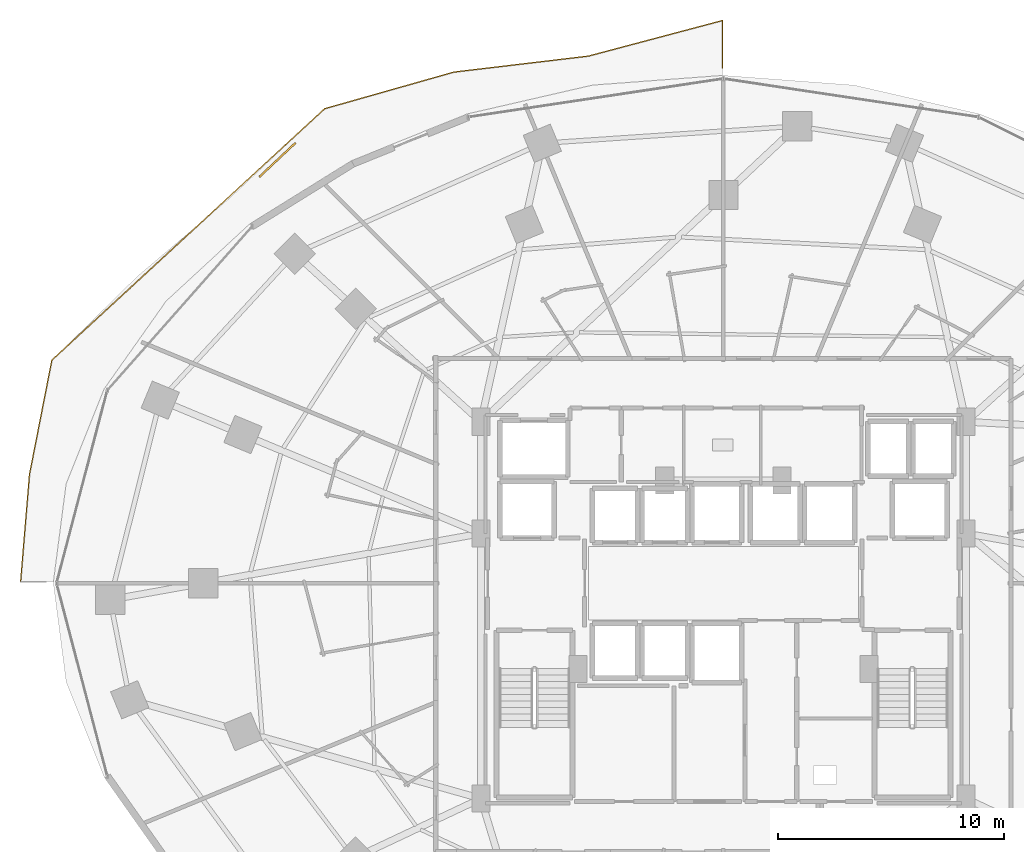
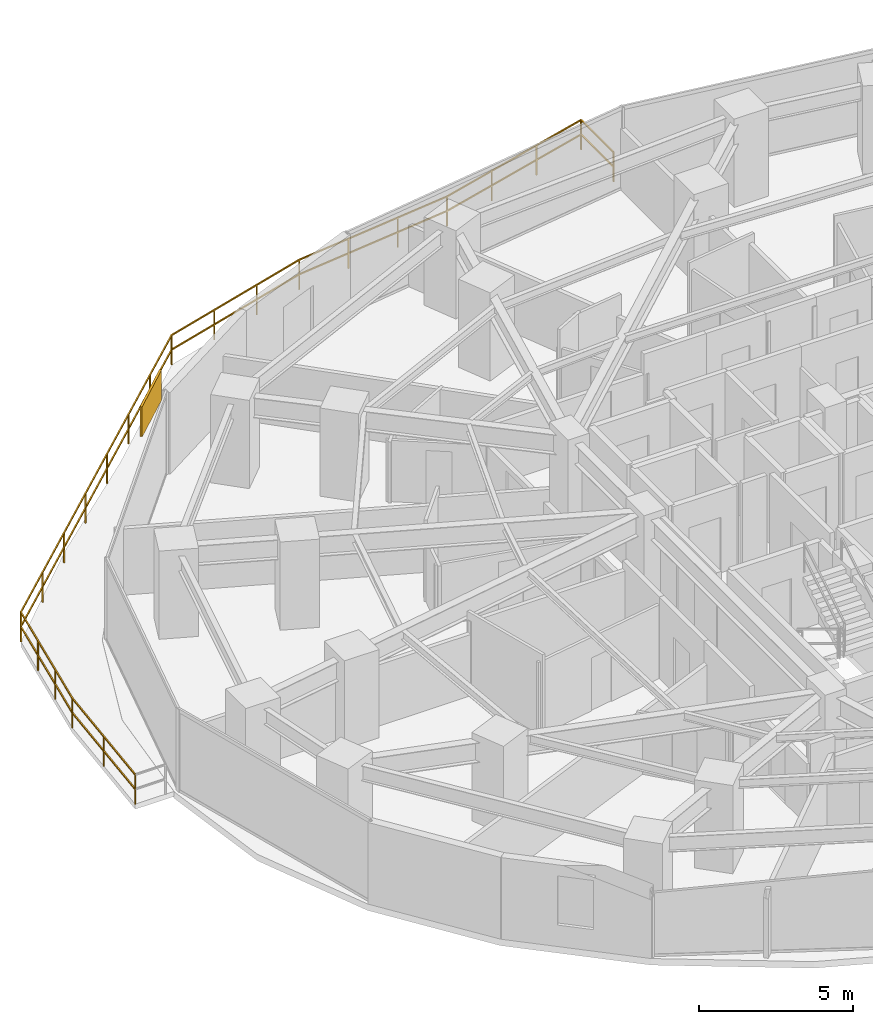
# One storey, part 35 of 36: 1 railing, 1 shading device.
"""IFC4 building model written with IfcOpenShell, lengths in metres."""

from ifc_helpers import new_model, si_unit, direction, frame, origin, origin_2d, place, context, subcontext, project, spatial, rectangle, extrude, material, type_object, element, save


model = new_model("IFC4")

# Units and contexts
model_context = context("Model", 3, precision=1e-05, world=origin(), true_north=direction((0.0, 1.0)))
body_context = subcontext(model_context, "Body", "Model", "MODEL_VIEW")
ifc_project = project(units=[si_unit("LENGTHUNIT", "METRE"), si_unit("AREAUNIT", "SQUARE_METRE"), si_unit("VOLUMEUNIT", "CUBIC_METRE"), si_unit("PLANEANGLEUNIT", "RADIAN"), si_unit("MASSUNIT", "GRAM", prefix="KILO")], contexts=[model_context])

# Site, building, storey
site_placement = place(None, origin())
site = spatial("IfcSite", under=ifc_project, at=site_placement, CompositionType="ELEMENT")
building_placement = place(site_placement, origin())
building = spatial("IfcBuilding", under=site, at=building_placement, Name="Vorneva Point Tower", CompositionType="ELEMENT")
storey_placement = place(building_placement, frame((0.0, 0.0, 24.0)))
storey = spatial("IfcBuildingStorey", under=building, at=storey_placement, Name="L05", CompositionType="ELEMENT", Elevation=24.0)

# Railing
ifc_material = material(Name="Pale anodised aluminium", Category="aluminium")
railing_type = type_object("IfcRailingType", Name="RL-BAL-1200", PredefinedType="BALUSTRADE", material=ifc_material)
railing_placement = place(storey_placement, frame((37.949951171875, 48.817138671875, 0.0)))
element("IfcRailing", 1, at=railing_placement, inside=storey, type_object=railing_type, Name="L05 Wave Balcony Balustrade NW.2", PredefinedType="BALUSTRADE", context=body_context, shape_type="SweptSolid", body=[
    extrude(rectangle(XDim=0.048095703125, YDim=0.048095703125, at=origin_2d()), frame((0.0, 0.0, 1.17578125), z_axis=(0.0, 1.0, 0.0), x_axis=(-1.0, 0.0, 0.0)), (0.0, 0.0, 1.0), 2.114501953125),
    extrude(rectangle(XDim=0.048095703125, YDim=0.048095703125, at=origin_2d()), frame((0.0, 0.0, 0.60009765625), z_axis=(0.0, 1.0, 0.0), x_axis=(-1.0, 0.0, 0.0)), (0.0, 0.0, 1.0), 2.114501953125),
    extrude(rectangle(XDim=0.048095703125, YDim=0.048095703125, at=origin_2d()), frame((0.0, 2.114501953125, 1.17578125), z_axis=(-0.966571808825, -0.256396057663, 0.0), x_axis=(0.256396057663, -0.966571808825, 0.0)), (0.0, 0.0, 1.0), 6.1435546875),
    extrude(rectangle(XDim=0.048095703125, YDim=0.048095703125, at=origin_2d()), frame((0.0, 2.114501953125, 0.60009765625), z_axis=(-0.966571808825, -0.256396057663, 0.0), x_axis=(0.256396057663, -0.966571808825, 0.0)), (0.0, 0.0, 1.0), 6.1435546875),
    extrude(rectangle(XDim=0.048095703125, YDim=0.048095703125, at=origin_2d()), frame((-5.938232421875, 0.539306640625, 1.17578125), z_axis=(-0.993006335019, -0.118061080008, 0.0), x_axis=(0.118061080008, -0.993006335019, 0.0)), (0.0, 0.0, 1.0), 6.003173828125),
    extrude(rectangle(XDim=0.048095703125, YDim=0.048095703125, at=origin_2d()), frame((-5.938232421875, 0.539306640625, 0.60009765625), z_axis=(-0.993006335019, -0.118061080008, 0.0), x_axis=(0.118061080008, -0.993006335019, 0.0)), (0.0, 0.0, 1.0), 6.003173828125),
    extrude(rectangle(XDim=0.048095703125, YDim=0.048095703125, at=origin_2d()), frame((-11.8994140625, -0.16943359375, 1.17578125), z_axis=(-0.962077917803, -0.272774779032, 0.0), x_axis=(0.272774779032, -0.962077917803, 0.0)), (0.0, 0.0, 1.0), 5.94921875),
    extrude(rectangle(XDim=0.048095703125, YDim=0.048095703125, at=origin_2d()), frame((-11.8994140625, -0.16943359375, 0.60009765625), z_axis=(-0.962077917803, -0.272774779032, 0.0), x_axis=(0.272774779032, -0.962077917803, 0.0)), (0.0, 0.0, 1.0), 5.94921875),
    extrude(rectangle(XDim=0.048095703125, YDim=0.048095703125, at=origin_2d()), frame((-17.623046875, -1.792236328125, 1.17578125), z_axis=(-0.73534569508, -0.677692193202, 0.0), x_axis=(0.677692193202, -0.73534569508, 0.0)), (0.0, 0.0, 1.0), 16.443115234375),
    extrude(rectangle(XDim=0.048095703125, YDim=0.048095703125, at=origin_2d()), frame((-17.623046875, -1.792236328125, 0.60009765625), z_axis=(-0.73534569508, -0.677692193202, 0.0), x_axis=(0.677692193202, -0.73534569508, 0.0)), (0.0, 0.0, 1.0), 16.443115234375),
    extrude(rectangle(XDim=0.048095703125, YDim=0.048095703125, at=origin_2d()), frame((-29.71435546875, -12.935546875, 1.17578125), z_axis=(-0.192193840782, -0.981356982736, 0.0), x_axis=(0.981356982736, -0.192193840782, 0.0)), (0.0, 0.0, 1.0), 5.1611328125),
    extrude(rectangle(XDim=0.048095703125, YDim=0.048095703125, at=origin_2d()), frame((-29.71435546875, -12.935546875, 0.60009765625), z_axis=(-0.192193840782, -0.981356982736, 0.0), x_axis=(0.981356982736, -0.192193840782, 0.0)), (0.0, 0.0, 1.0), 5.1611328125),
    extrude(rectangle(XDim=0.048095703125, YDim=0.048095703125, at=origin_2d()), frame((-30.706298828125, -18.00048828125, 1.17578125), z_axis=(-0.082487850113, -0.996592070299, 0.0), x_axis=(0.996592070299, -0.082487850113, 0.0)), (0.0, 0.0, 1.0), 4.782958984375),
    extrude(rectangle(XDim=0.048095703125, YDim=0.048095703125, at=origin_2d()), frame((-30.706298828125, -18.00048828125, 0.60009765625), z_axis=(-0.082487850113, -0.996592070299, 0.0), x_axis=(0.996592070299, -0.082487850113, 0.0)), (0.0, 0.0, 1.0), 4.782958984375),
    extrude(rectangle(XDim=0.0419921875, YDim=0.0419921875, at=origin_2d()), origin(), (0.0, 0.0, 1.0), 1.15185546875),
    extrude(rectangle(XDim=0.0419921875, YDim=0.0419921875, at=origin_2d()), frame((0.0, 2.114501953125, 0.0)), (0.0, 0.0, 1.0), 1.15185546875),
    extrude(rectangle(XDim=0.0419921875, YDim=0.0419921875, at=origin_2d()), frame((-1.9794921875, 1.58935546875, 0.0)), (0.0, 0.0, 1.0), 1.15185546875),
    extrude(rectangle(XDim=0.0419921875, YDim=0.0419921875, at=origin_2d()), frame((-3.958740234375, 1.064453125, 0.0)), (0.0, 0.0, 1.0), 1.15185546875),
    extrude(rectangle(XDim=0.0419921875, YDim=0.0419921875, at=origin_2d()), frame((-5.938232421875, 0.539306640625, 0.0)), (0.0, 0.0, 1.0), 1.15185546875),
    extrude(rectangle(XDim=0.0419921875, YDim=0.0419921875, at=origin_2d()), frame((-7.92529296875, 0.302978515625, 0.0)), (0.0, 0.0, 1.0), 1.15185546875),
    extrude(rectangle(XDim=0.0419921875, YDim=0.0419921875, at=origin_2d()), frame((-9.912353515625, 0.06689453125, 0.0)), (0.0, 0.0, 1.0), 1.15185546875),
    extrude(rectangle(XDim=0.0419921875, YDim=0.0419921875, at=origin_2d()), frame((-11.8994140625, -0.16943359375, 0.0)), (0.0, 0.0, 1.0), 1.15185546875),
    extrude(rectangle(XDim=0.0419921875, YDim=0.0419921875, at=origin_2d()), frame((-13.807373046875, -0.71044921875, 0.0)), (0.0, 0.0, 1.0), 1.15185546875),
    extrude(rectangle(XDim=0.0419921875, YDim=0.0419921875, at=origin_2d()), frame((-15.715087890625, -1.251220703125, 0.0)), (0.0, 0.0, 1.0), 1.15185546875),
    extrude(rectangle(XDim=0.0419921875, YDim=0.0419921875, at=origin_2d()), frame((-17.623046875, -1.792236328125, 0.0)), (0.0, 0.0, 1.0), 1.15185546875),
    extrude(rectangle(XDim=0.0419921875, YDim=0.0419921875, at=origin_2d()), frame((-19.350341796875, -3.384033203125, 0.0)), (0.0, 0.0, 1.0), 1.15185546875),
    extrude(rectangle(XDim=0.0419921875, YDim=0.0419921875, at=origin_2d()), frame((-21.07763671875, -4.97607421875, 0.0)), (0.0, 0.0, 1.0), 1.15185546875),
    extrude(rectangle(XDim=0.0419921875, YDim=0.0419921875, at=origin_2d()), frame((-22.804931640625, -6.56787109375, 0.0)), (0.0, 0.0, 1.0), 1.15185546875),
    extrude(rectangle(XDim=0.0419921875, YDim=0.0419921875, at=origin_2d()), frame((-24.532470703125, -8.159912109375, 0.0)), (0.0, 0.0, 1.0), 1.15185546875),
    extrude(rectangle(XDim=0.0419921875, YDim=0.0419921875, at=origin_2d()), frame((-26.259765625, -9.751708984375, 0.0)), (0.0, 0.0, 1.0), 1.15185546875),
    extrude(rectangle(XDim=0.0419921875, YDim=0.0419921875, at=origin_2d()), frame((-27.987060546875, -11.34375, 0.0)), (0.0, 0.0, 1.0), 1.15185546875),
    extrude(rectangle(XDim=0.0419921875, YDim=0.0419921875, at=origin_2d()), frame((-29.71435546875, -12.935546875, 0.0)), (0.0, 0.0, 1.0), 1.15185546875),
    extrude(rectangle(XDim=0.0419921875, YDim=0.0419921875, at=origin_2d()), frame((-30.044921875, -14.623779296875, 0.0)), (0.0, 0.0, 1.0), 1.15185546875),
    extrude(rectangle(XDim=0.0419921875, YDim=0.0419921875, at=origin_2d()), frame((-30.375732421875, -16.312255859375, 0.0)), (0.0, 0.0, 1.0), 1.15185546875),
    extrude(rectangle(XDim=0.0419921875, YDim=0.0419921875, at=origin_2d()), frame((-30.706298828125, -18.00048828125, 0.0)), (0.0, 0.0, 1.0), 1.15185546875),
    extrude(rectangle(XDim=0.0419921875, YDim=0.0419921875, at=origin_2d()), frame((-30.903564453125, -20.3837890625, 0.0)), (0.0, 0.0, 1.0), 1.15185546875),
    extrude(rectangle(XDim=0.0419921875, YDim=0.0419921875, at=origin_2d()), frame((-31.100830078125, -22.76708984375, 0.0)), (0.0, 0.0, 1.0), 1.15185546875),
])

# Shading device
shading_device_type = type_object("IfcShadingDeviceType", Name="SHD-JAL-1200", PredefinedType="JALOUSIE", material=ifc_material)
shading_device_placement = place(storey_placement, frame((18.23388671875, 44.755615234375, -0.02001953125), z_axis=(0.0, 0.0, 1.0), x_axis=(-0.728538369925, -0.685004995271, 0.0)))
element("IfcShadingDevice", 2, at=shading_device_placement, inside=storey, type_object=shading_device_type, Name="L05 Balcony Vertical-Greenery Planter Screen NW.2", PredefinedType="JALOUSIE", context=body_context, shape_type="SweptSolid", body=[
    extrude(rectangle(XDim=2.199951171875, YDim=0.080078125, at=origin_2d()), origin(), (0.0, 0.0, 1.0), 1.199951171875),
])

save(model, "model.ifc")
